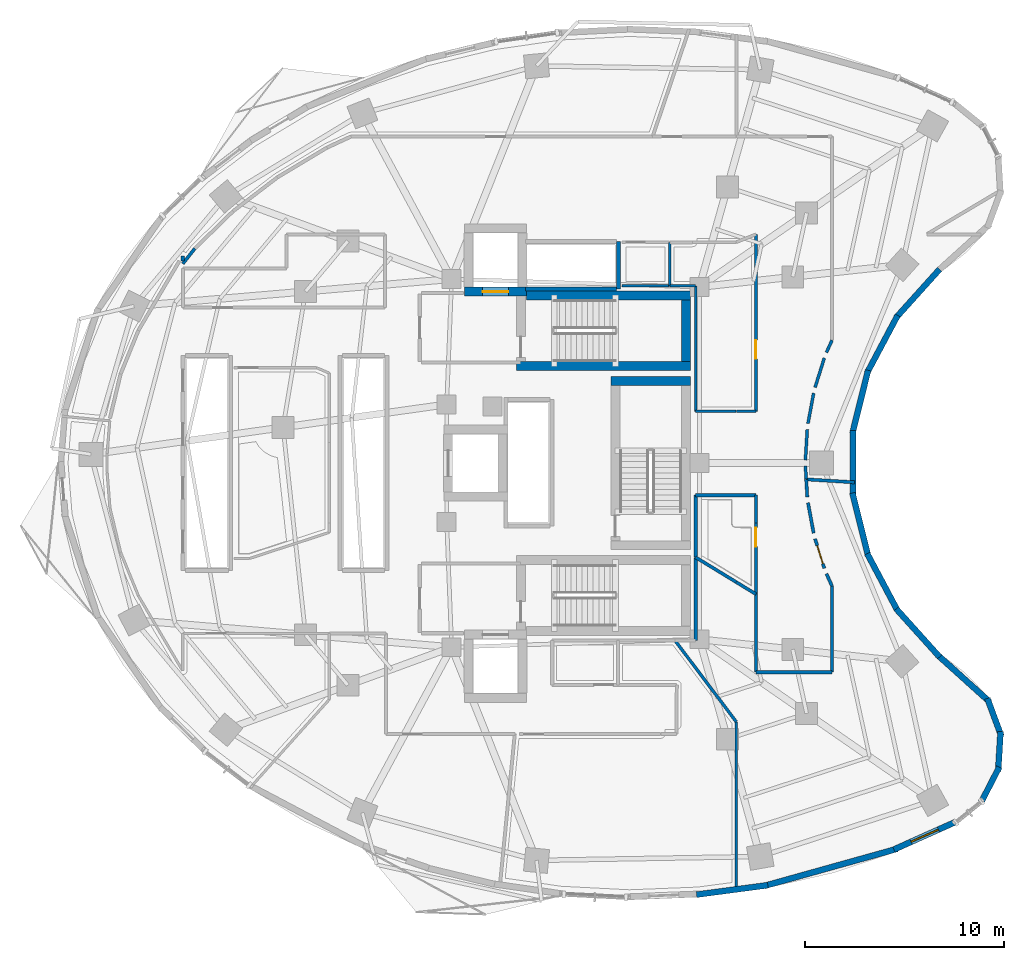
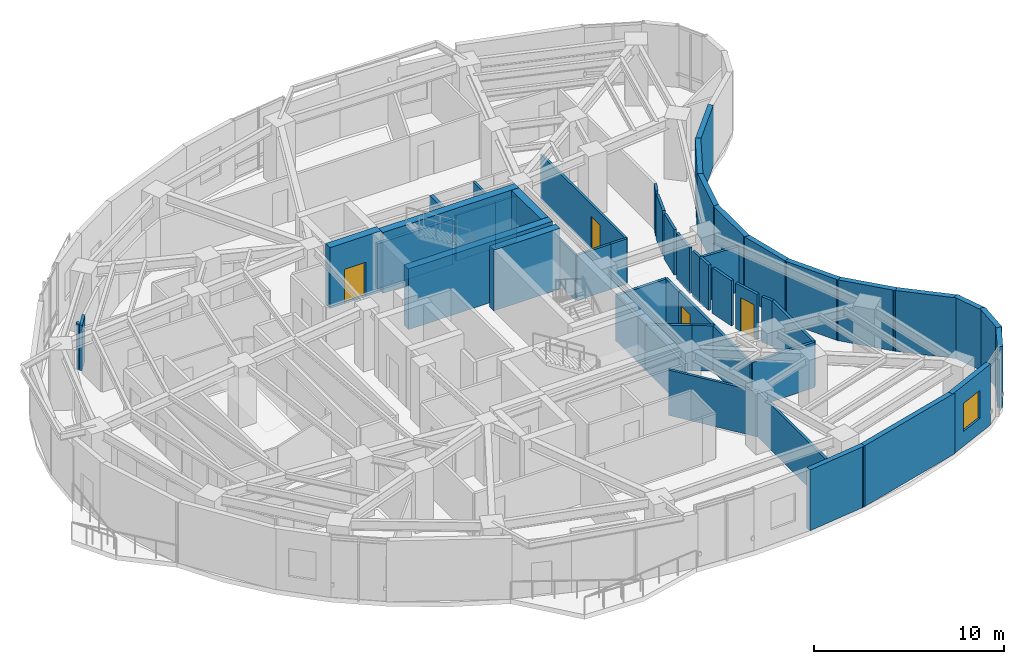
# One storey, part 9 of 14: 52 walls, 4 doors, 1 window, 5 openings.
"""IFC4 building model written with IfcOpenShell, lengths in metres."""

from ifc_helpers import new_model, si_unit, direction, frame, frame_2d, origin, place, context, subcontext, project, spatial, rectangle, extrude, material, layer, layer_set, type_object, element, fill, save


model = new_model("IFC4")

# Units and contexts
model_context = context("Model", 3, precision=1e-05, world=origin(), true_north=direction((0.0, 1.0)))
body_context = subcontext(model_context, "Body", "Model", "MODEL_VIEW")
ifc_project = project(units=[si_unit("LENGTHUNIT", "METRE"), si_unit("AREAUNIT", "SQUARE_METRE"), si_unit("VOLUMEUNIT", "CUBIC_METRE"), si_unit("PLANEANGLEUNIT", "RADIAN"), si_unit("MASSUNIT", "GRAM", prefix="KILO")], contexts=[model_context])

# Site, building, storey
site_placement = place(None, origin())
site = spatial("IfcSite", under=ifc_project, at=site_placement, CompositionType="ELEMENT")
building_placement = place(site_placement, origin())
building = spatial("IfcBuilding", under=site, at=building_placement, Name="Korentha Bioscience Tower", CompositionType="ELEMENT")
storey_placement = place(building_placement, frame((0.0, 0.0, 90.0)))
storey = spatial("IfcBuildingStorey", under=building, at=storey_placement, Name="L20", CompositionType="ELEMENT", Elevation=90.0)

# Walls
ifc_material_1 = material(Name="Double-Stud Acoustic Gypsum", Category="gypsum")
ifc_layer_1 = layer(ifc_material_1, 0.14990234375, Name="Double-Stud Acoustic Gypsum")
ifc_layer_set_1 = layer_set([ifc_layer_1], Name="Double-Stud Acoustic Gypsum (IW-L150)")
wall_type_1 = type_object("IfcWallType", Name="Acoustic Laboratory Partition Wall 150", PredefinedType="PARTITIONING", material=ifc_layer_set_1)
wall_1_placement = place(storey_placement, frame((36.3193359375, 18.090087890625, 0.0), z_axis=(0.0, 0.0, 1.0), x_axis=(0.601792892962, -0.798652185861, 0.0)))
element("IfcWall", 1, at=wall_1_placement, inside=storey, type_object=wall_type_1, Name="L20 Interior Partition 037", PredefinedType="PARTITIONING", context=body_context, shape_type="SweptSolid", body=[
    extrude(rectangle(XDim=5.11572265625, YDim=0.14990234375, at=frame_2d((2.557861328125, 0.0))), origin(), (0.0, 0.0, 1.0), 2.909912109375),
])
wall_2_placement = place(storey_placement, frame((39.39794921875, 14.00439453125, 0.0), z_axis=(0.0, 0.0, 1.0), x_axis=(0.0, -1.0, 0.0)))
element("IfcWall", 2, at=wall_2_placement, inside=storey, type_object=wall_type_1, Name="L20 Interior Partition 038", PredefinedType="PARTITIONING", context=body_context, shape_type="SweptSolid", body=[
    extrude(rectangle(XDim=8.540283203125, YDim=0.14990234375, at=frame_2d((4.27001953125, 0.0))), origin(), (0.0, 0.0, 1.0), 2.909912109375),
])
wall_3_placement = place(storey_placement, frame((42.912841796875, 26.194091796875, 0.0), z_axis=(0.0, 0.0, 1.0), x_axis=(-0.061177910387, 0.998126877346, 0.0)))
element("IfcWall", 3, at=wall_3_placement, inside=storey, type_object=wall_type_1, Name="L20 Interior Partition 056", PredefinedType="PARTITIONING", context=body_context, shape_type="SweptSolid", body=[
    extrude(rectangle(XDim=0.658447265625, YDim=0.14990234375, at=frame_2d((0.3291015625, 0.0))), origin(), (0.0, 0.0, 1.0), 2.909912109375),
])
wall_4_placement = place(storey_placement, frame((42.87255859375, 27.148681640625, 0.0), z_axis=(0.0, 0.0, 1.0), x_axis=(0.061103659378, 0.99813142562, 0.0)))
element("IfcWall", 4, at=wall_4_placement, inside=storey, type_object=wall_type_1, Name="L20 Interior Partition 057", PredefinedType="PARTITIONING", context=body_context, shape_type="SweptSolid", body=[
    extrude(rectangle(XDim=1.55029296875, YDim=0.14990234375, at=frame_2d((0.775146484375, 0.0))), origin(), (0.0, 0.0, 1.0), 2.909912109375),
])
wall_5_placement = place(storey_placement, frame((43.00341796875, 28.99072265625, 0.0), z_axis=(0.0, 0.0, 1.0), x_axis=(0.182168192784, 0.983267384559, 0.0)))
element("IfcWall", 5, at=wall_5_placement, inside=storey, type_object=wall_type_1, Name="L20 Interior Partition 058", PredefinedType="PARTITIONING", context=body_context, shape_type="SweptSolid", body=[
    extrude(rectangle(XDim=1.550537109375, YDim=0.14990234375, at=frame_2d((0.775390625, 0.0))), origin(), (0.0, 0.0, 1.0), 2.909912109375),
])
wall_6_placement = place(storey_placement, frame((43.35791015625, 30.803466796875, 0.0), z_axis=(0.0, 0.0, 1.0), x_axis=(0.300641414783, 0.953737248783, 0.0)))
element("IfcWall", 6, at=wall_6_placement, inside=storey, type_object=wall_type_1, Name="L20 Interior Partition 059", PredefinedType="PARTITIONING", context=body_context, shape_type="SweptSolid", body=[
    extrude(rectangle(XDim=1.55029296875, YDim=0.14990234375, at=frame_2d((0.775146484375, 0.0))), origin(), (0.0, 0.0, 1.0), 2.909912109375),
])
wall_7_placement = place(storey_placement, frame((43.930419921875, 32.55908203125, 0.0), z_axis=(0.0, 0.0, 1.0), x_axis=(0.414377467152, 0.910105111905, 0.0)))
element("IfcWall", 7, at=wall_7_placement, inside=storey, type_object=wall_type_1, Name="L20 Interior Partition 060", PredefinedType="PARTITIONING", context=body_context, shape_type="SweptSolid", body=[
    extrude(rectangle(XDim=0.67236328125, YDim=0.14990234375, at=frame_2d((0.336181640625, 0.0))), origin(), (0.0, 0.0, 1.0), 2.909912109375),
])

# Wall, opening, door
ifc_material_2 = material(Name="Insulated Aluminium Honeycomb Panel", Category="aluminium")
ifc_layer_2 = layer(ifc_material_2, 0.139892578125, Name="Insulated Aluminium Honeycomb Panel")
ifc_layer_set_2 = layer_set([ifc_layer_2], Name="Insulated Aluminium Honeycomb Panel (IW-F60)")
wall_type_2 = type_object("IfcWallType", Name="Cleanroom Flush Metal Panel Partition 140", PredefinedType="PARTITIONING", material=ifc_layer_set_2)
wall_8_placement = place(storey_placement, frame((40.389892578125, 38.498046875, 0.0), z_axis=(0.0, 0.0, 1.0), x_axis=(0.0, -1.0, 0.0)))
wall_8 = element("IfcWall", 8, at=wall_8_placement, inside=storey, type_object=wall_type_2, Name="L20 Vaccine Formulation Cleanroom 07 Entrance Wall", PredefinedType="PARTITIONING", context=body_context, shape_type="SweptSolid", body=[
    extrude(rectangle(XDim=8.89599609375, YDim=0.139892578125, at=frame_2d((4.447998046875, 0.0))), origin(), (0.0, 0.0, 1.0), 2.909912109375),
])
opening_1_placement = place(wall_8_placement, frame((5.3125, 0.0, 0.0)))
opening_1 = element("IfcOpeningElement", 9, at=opening_1_placement, cuts=wall_8, Name="Opening ID-10L", PredefinedType="OPENING", context=body_context, shape_type="SweptSolid", body=[
    extrude(rectangle(XDim=0.949951171875, YDim=2.14990234375, at=frame_2d((0.47509765625, 1.074951171875))), frame((0.0, 0.0849609375, 0.0), z_axis=(0.0, -1.0, 0.0), x_axis=(1.0, 0.0, 0.0)), (0.0, 0.0, 1.0), 0.169677734375),
])
ifc_material_3 = material(Name="Phenolic Laminate Timber Core", Category="wood")
door_type_1 = type_object("IfcDoorType", Name="Laboratory Single Leaf Door 950x2150 Left", OperationType="SINGLE_SWING_LEFT", PredefinedType="DOOR", material=ifc_material_3)
door_1_placement = place(opening_1_placement, origin())
door_1 = element("IfcDoor", 10, at=door_1_placement, inside=storey, type_object=door_type_1, Name="L20 Vaccine Formulation Cleanroom 07 Door", OperationType="SINGLE_SWING_LEFT", OverallHeight=2.14990234375, OverallWidth=0.949951171875, PredefinedType="DOOR", context=body_context, shape_type="SweptSolid", body=[
    extrude(rectangle(XDim=0.949951171875, YDim=2.14990234375, at=frame_2d((0.47509765625, 1.074951171875))), frame((0.0, 0.02490234375, 0.0), z_axis=(0.0, -1.0, 0.0), x_axis=(1.0, 0.0, 0.0)), (0.0, 0.0, 1.0), 0.050048828125),
])
fill(opening_1, door_1)

# Walls
wall_9_placement = place(storey_placement, frame((40.389892578125, 29.60205078125, 0.0), z_axis=(0.0, 0.0, 1.0), x_axis=(-1.0, 0.0, 0.0)))
element("IfcWall", 11, at=wall_9_placement, inside=storey, type_object=wall_type_2, Name="L20 Interior Partition 064", PredefinedType="PARTITIONING", context=body_context, shape_type="SweptSolid", body=[
    extrude(rectangle(XDim=0.98779296875, YDim=0.139892578125, at=frame_2d((0.493896484375, 0.0))), origin(), (0.0, 0.0, 1.0), 2.909912109375),
])
wall_10_placement = place(storey_placement, frame((39.39794921875, 29.60205078125, 0.0), z_axis=(0.0, 0.0, 1.0), x_axis=(-1.0, 0.0, 0.0)))
element("IfcWall", 12, at=wall_10_placement, inside=storey, type_object=wall_type_2, Name="L20 Interior Partition 065", PredefinedType="PARTITIONING", context=body_context, shape_type="SweptSolid", body=[
    extrude(rectangle(XDim=2.037841796875, YDim=0.139892578125, at=frame_2d((1.01904296875, 0.0))), origin(), (0.0, 0.0, 1.0), 2.909912109375),
])
wall_11_placement = place(storey_placement, frame((37.360107421875, 29.60205078125, 0.0), z_axis=(0.0, 0.0, 1.0), x_axis=(0.0, 1.0, 0.0)))
element("IfcWall", 13, at=wall_11_placement, inside=storey, type_object=wall_type_2, Name="L20 Interior Partition 066", PredefinedType="PARTITIONING", context=body_context, shape_type="SweptSolid", body=[
    extrude(rectangle(XDim=6.2978515625, YDim=0.139892578125, at=frame_2d((3.14892578125, 0.0))), origin(), (0.0, 0.0, 1.0), 2.909912109375),
])
wall_12_placement = place(storey_placement, frame((37.35009765625, 35.909912109375, 0.0), z_axis=(0.0, 0.0, 1.0), x_axis=(-1.0, 0.0, 0.0)))
element("IfcWall", 14, at=wall_12_placement, inside=storey, type_object=wall_type_2, Name="L20 Interior Partition 067", PredefinedType="PARTITIONING", context=body_context, shape_type="SweptSolid", body=[
    extrude(rectangle(XDim=1.2900390625, YDim=0.139892578125, at=frame_2d((0.64501953125, 0.0))), origin(), (0.0, 0.0, 1.0), 2.909912109375),
])

# Wall, opening, door
ifc_material_4 = material(Name="Gypsum-Clad Steel Stud", Category="steel")
ifc_layer_3 = layer(ifc_material_4, 0.159912109375, Name="Gypsum-Clad Steel Stud")
ifc_layer_set_3 = layer_set([ifc_layer_3], Name="Gypsum-Clad Steel Stud (IW-C160)")
wall_type_3 = type_object("IfcWallType", Name="Fire-Rated Corridor Partition Wall 160", PredefinedType="PARTITIONING", material=ifc_layer_set_3)
wall_13_placement = place(storey_placement, frame((43.823974609375, 21.718017578125, 0.0), z_axis=(0.0, 0.0, 1.0), x_axis=(-0.300641414783, 0.953737248783, 0.0)))
wall_13 = element("IfcWall", 15, at=wall_13_placement, inside=storey, type_object=wall_type_3, Name="L20 Biospecimen Archive Store 04 Entrance Wall", PredefinedType="PARTITIONING", context=body_context, shape_type="SweptSolid", body=[
    extrude(rectangle(XDim=1.55029296875, YDim=0.159912109375, at=frame_2d((0.775146484375, 0.0))), origin(), (0.0, 0.0, 1.0), 2.909912109375),
])
opening_2_placement = place(wall_13_placement, frame((0.239990234375, 0.0, 0.0)))
opening_2 = element("IfcOpeningElement", 16, at=opening_2_placement, cuts=wall_13, Name="Opening ID-10R", PredefinedType="OPENING", context=body_context, shape_type="SweptSolid", body=[
    extrude(rectangle(XDim=0.949951171875, YDim=2.14990234375, at=frame_2d((0.47509765625, 1.074951171875))), frame((0.0, 0.0947265625, 0.0), z_axis=(0.0, -1.0, 0.0), x_axis=(1.0, 0.0, 0.0)), (0.0, 0.0, 1.0), 0.189697265625),
])
door_type_2 = type_object("IfcDoorType", Name="Laboratory Single Leaf Door 950x2150 Right", OperationType="SINGLE_SWING_RIGHT", PredefinedType="DOOR", material=ifc_material_3)
door_2_placement = place(opening_2_placement, origin())
door_2 = element("IfcDoor", 17, at=door_2_placement, inside=storey, type_object=door_type_2, Name="L20 Biospecimen Archive Store 04 Door", OperationType="SINGLE_SWING_RIGHT", OverallHeight=2.14990234375, OverallWidth=0.949951171875, PredefinedType="DOOR", context=body_context, shape_type="SweptSolid", body=[
    extrude(rectangle(XDim=0.949951171875, YDim=2.14990234375, at=frame_2d((0.47509765625, 1.074951171875))), frame((0.0, 0.02490234375, 0.0), z_axis=(0.0, -1.0, 0.0), x_axis=(1.0, 0.0, 0.0)), (0.0, 0.0, 1.0), 0.050048828125),
])
fill(opening_2, door_2)

wall_14_placement = place(storey_placement, frame((40.389892578125, 23.998046875, 0.0), z_axis=(0.0, 0.0, 1.0), x_axis=(0.0, -1.0, 0.0)))
wall_14 = element("IfcWall", 18, at=wall_14_placement, inside=storey, type_object=wall_type_3, Name="L20 Reference Archive Vault 05 Entrance Wall", PredefinedType="PARTITIONING", context=body_context, shape_type="SweptSolid", body=[
    extrude(rectangle(XDim=3.5703125, YDim=0.159912109375, at=frame_2d((1.78515625, 0.0))), origin(), (0.0, 0.0, 1.0), 2.909912109375),
])
opening_3_placement = place(wall_14_placement, frame((0.239990234375, 0.0, 0.0)))
opening_3 = element("IfcOpeningElement", 19, at=opening_3_placement, cuts=wall_14, Name="Opening ID-10L", PredefinedType="OPENING", context=body_context, shape_type="SweptSolid", body=[
    extrude(rectangle(XDim=0.949951171875, YDim=2.14990234375, at=frame_2d((0.47509765625, 1.074951171875))), frame((0.0, 0.0947265625, 0.0), z_axis=(0.0, -1.0, 0.0), x_axis=(1.0, 0.0, 0.0)), (0.0, 0.0, 1.0), 0.189697265625),
])
door_3_placement = place(opening_3_placement, origin())
door_3 = element("IfcDoor", 20, at=door_3_placement, inside=storey, type_object=door_type_1, Name="L20 Reference Archive Vault 05 Door", OperationType="SINGLE_SWING_LEFT", OverallHeight=2.14990234375, OverallWidth=0.949951171875, PredefinedType="DOOR", context=body_context, shape_type="SweptSolid", body=[
    extrude(rectangle(XDim=0.949951171875, YDim=2.14990234375, at=frame_2d((0.47509765625, 1.074951171875))), frame((0.0, 0.02490234375, 0.0), z_axis=(0.0, -1.0, 0.0), x_axis=(1.0, 0.0, 0.0)), (0.0, 0.0, 1.0), 0.050048828125),
])
fill(opening_3, door_3)

# Walls
wall_15_placement = place(storey_placement, frame((39.402099609375, 21.01904296875, 0.0), z_axis=(0.0, 0.0, 1.0), x_axis=(0.853521615148, -0.52105743683, 0.0)))
element("IfcWall", 21, at=wall_15_placement, inside=storey, type_object=wall_type_3, Name="L20 Interior Partition 039", PredefinedType="PARTITIONING", context=body_context, shape_type="SweptSolid", body=[
    extrude(rectangle(XDim=1.1572265625, YDim=0.159912109375, at=frame_2d((0.57861328125, 0.0))), origin(), (0.0, 0.0, 1.0), 2.909912109375),
])
wall_16_placement = place(storey_placement, frame((40.389892578125, 20.416015625, 0.0), z_axis=(0.0, 0.0, 1.0), x_axis=(0.0, -1.0, 0.0)))
element("IfcWall", 22, at=wall_16_placement, inside=storey, type_object=wall_type_3, Name="L20 Interior Partition 040", PredefinedType="PARTITIONING", context=body_context, shape_type="SweptSolid", body=[
    extrude(rectangle(XDim=3.916015625, YDim=0.159912109375, at=frame_2d((1.9580078125, 0.0))), origin(), (0.0, 0.0, 1.0), 2.909912109375),
])
wall_17_placement = place(storey_placement, frame((40.39990234375, 16.489990234375, 0.0), z_axis=(0.0, 0.0, 1.0), x_axis=(1.0, 0.0, 0.0)))
element("IfcWall", 23, at=wall_17_placement, inside=storey, type_object=wall_type_3, Name="L20 Interior Partition 041", PredefinedType="PARTITIONING", context=body_context, shape_type="SweptSolid", body=[
    extrude(rectangle(XDim=3.800048828125, YDim=0.159912109375, at=frame_2d((1.89990234375, 0.0))), origin(), (0.0, 0.0, 1.0), 2.909912109375),
])
wall_18_placement = place(storey_placement, frame((44.2099609375, 16.5, 0.0), z_axis=(0.0, 0.0, 1.0), x_axis=(0.0, 1.0, 0.0)))
element("IfcWall", 24, at=wall_18_placement, inside=storey, type_object=wall_type_3, Name="L20 Interior Partition 042", PredefinedType="PARTITIONING", context=body_context, shape_type="SweptSolid", body=[
    extrude(rectangle(XDim=4.324951171875, YDim=0.159912109375, at=frame_2d((2.16259765625, 0.0))), origin(), (0.0, 0.0, 1.0), 2.909912109375),
])
wall_19_placement = place(storey_placement, frame((44.208984375, 20.8291015625, 0.0), z_axis=(0.0, 0.0, 1.0), x_axis=(-0.414377467152, 0.910105111905, 0.0)))
element("IfcWall", 25, at=wall_19_placement, inside=storey, type_object=wall_type_3, Name="L20 Interior Partition 043", PredefinedType="PARTITIONING", context=body_context, shape_type="SweptSolid", body=[
    extrude(rectangle(XDim=0.67236328125, YDim=0.159912109375, at=frame_2d((0.336181640625, 0.0))), origin(), (0.0, 0.0, 1.0), 2.909912109375),
])
wall_20_placement = place(storey_placement, frame((43.285888671875, 23.484619140625, 0.0), z_axis=(0.0, 0.0, 1.0), x_axis=(-0.182168192784, 0.983267384559, 0.0)))
element("IfcWall", 26, at=wall_20_placement, inside=storey, type_object=wall_type_3, Name="L20 Interior Partition 044", PredefinedType="PARTITIONING", context=body_context, shape_type="SweptSolid", body=[
    extrude(rectangle(XDim=1.550537109375, YDim=0.159912109375, at=frame_2d((0.775390625, 0.0))), origin(), (0.0, 0.0, 1.0), 2.909912109375),
])
wall_21_placement = place(storey_placement, frame((42.96728515625, 25.303955078125, 0.0), z_axis=(0.0, 0.0, 1.0), x_axis=(-0.061188874166, 0.998126205286, 0.0)))
element("IfcWall", 27, at=wall_21_placement, inside=storey, type_object=wall_type_3, Name="L20 Interior Partition 045", PredefinedType="PARTITIONING", context=body_context, shape_type="SweptSolid", body=[
    extrude(rectangle(XDim=0.8818359375, YDim=0.159912109375, at=frame_2d((0.44091796875, 0.0))), origin(), (0.0, 0.0, 1.0), 2.909912109375),
])
wall_22_placement = place(storey_placement, frame((42.913330078125, 26.18408203125, 0.0), z_axis=(0.0, 0.0, 1.0), x_axis=(0.998138916893, -0.060981165807, 0.0)))
element("IfcWall", 28, at=wall_22_placement, inside=storey, type_object=wall_type_3, Name="L20 Interior Partition 046", PredefinedType="PARTITIONING", context=body_context, shape_type="SweptSolid", body=[
    extrude(rectangle(XDim=2.426025390625, YDim=0.159912109375, at=frame_2d((1.212890625, 0.0))), origin(), (0.0, 0.0, 1.0), 2.909912109375),
])
wall_23_placement = place(storey_placement, frame((37.360107421875, 18.10009765625, 0.0), z_axis=(0.0, 0.0, 1.0), x_axis=(0.0, 1.0, 0.0)))
element("IfcWall", 29, at=wall_23_placement, inside=storey, type_object=wall_type_3, Name="L20 Interior Partition 048", PredefinedType="PARTITIONING", context=body_context, shape_type="SweptSolid", body=[
    extrude(rectangle(XDim=4.16552734375, YDim=0.159912109375, at=frame_2d((2.082763671875, 0.0))), origin(), (0.0, 0.0, 1.0), 2.909912109375),
])
wall_24_placement = place(storey_placement, frame((37.360107421875, 22.265625, 0.0), z_axis=(0.0, 0.0, 1.0), x_axis=(0.85352442543, -0.521052833401, 0.0)))
element("IfcWall", 30, at=wall_24_placement, inside=storey, type_object=wall_type_3, Name="L20 Interior Partition 049", PredefinedType="PARTITIONING", context=body_context, shape_type="SweptSolid", body=[
    extrude(rectangle(XDim=2.38720703125, YDim=0.159912109375, at=frame_2d((1.193603515625, 0.0))), origin(), (0.0, 0.0, 1.0), 2.909912109375),
])
wall_25_placement = place(storey_placement, frame((37.360107421875, 22.275634765625, 0.0), z_axis=(0.0, 0.0, 1.0), x_axis=(0.0, 1.0, 0.0)))
element("IfcWall", 31, at=wall_25_placement, inside=storey, type_object=wall_type_3, Name="L20 Interior Partition 051", PredefinedType="PARTITIONING", context=body_context, shape_type="SweptSolid", body=[
    extrude(rectangle(XDim=3.1142578125, YDim=0.159912109375, at=frame_2d((1.55712890625, 0.0))), origin(), (0.0, 0.0, 1.0), 2.909912109375),
])
wall_26_placement = place(storey_placement, frame((37.360107421875, 25.389892578125, 0.0), z_axis=(0.0, 0.0, 1.0), x_axis=(1.0, 0.0, 0.0)))
element("IfcWall", 32, at=wall_26_placement, inside=storey, type_object=wall_type_3, Name="L20 Interior Partition 052", PredefinedType="PARTITIONING", context=body_context, shape_type="SweptSolid", body=[
    extrude(rectangle(XDim=3.02587890625, YDim=0.159912109375, at=frame_2d((1.512939453125, 0.0))), origin(), (0.0, 0.0, 1.0), 2.909912109375),
])
wall_27_placement = place(storey_placement, frame((40.385986328125, 25.389892578125, 0.0), z_axis=(0.0, 0.0, 1.0), x_axis=(0.0, -1.0, 0.0)))
element("IfcWall", 33, at=wall_27_placement, inside=storey, type_object=wall_type_3, Name="L20 Interior Partition 053", PredefinedType="PARTITIONING", context=body_context, shape_type="SweptSolid", body=[
    extrude(rectangle(XDim=1.3876953125, YDim=0.159912109375, at=frame_2d((0.69384765625, 0.0))), origin(), (0.0, 0.0, 1.0), 2.909912109375),
])
wall_28_placement = place(storey_placement, frame((12.195068359375, 37.781982421875, 0.0), z_axis=(0.0, 0.0, 1.0), x_axis=(-0.621081637991, -0.783745876513, 0.0)))
element("IfcWall", 34, at=wall_28_placement, inside=storey, type_object=wall_type_3, Name="L20 Interior Partition 076", PredefinedType="PARTITIONING", context=body_context, shape_type="SweptSolid", body=[
    extrude(rectangle(XDim=0.97412109375, YDim=0.159912109375, at=frame_2d((0.487060546875, 0.0))), origin(), (0.0, 0.0, 1.0), 2.909912109375),
])
wall_29_placement = place(storey_placement, frame((11.590087890625, 37.152099609375, 0.0), z_axis=(0.0, 0.0, 1.0), x_axis=(0.0, 1.0, 0.0)))
element("IfcWall", 35, at=wall_29_placement, inside=storey, type_object=wall_type_3, Name="L20 Interior Partition 077", PredefinedType="PARTITIONING", context=body_context, shape_type="SweptSolid", body=[
    extrude(rectangle(XDim=0.255859375, YDim=0.159912109375, at=frame_2d((0.1279296875, 0.0))), origin(), (0.0, 0.0, 1.0), 2.909912109375),
])

# Wall, opening, window
ifc_material_5 = material(Name="Honed Limestone Precast Concrete C40", Category="masonry")
ifc_layer_4 = layer(ifc_material_5, 0.300048828125, Name="Honed Limestone Precast Concrete C40")
ifc_layer_set_4 = layer_set([ifc_layer_4], Name="Honed Limestone Precast Concrete C40 (EW-ST300)")
wall_type_4 = type_object("IfcWallType", Name="Honed Limestone Cavity Spandrel Wall 300", PredefinedType="STANDARD", material=ifc_layer_set_4)
wall_30_placement = place(storey_placement, frame((47.3193359375, 7.5849609375, 0.0), z_axis=(0.0, 0.0, 1.0), x_axis=(0.912680179498, 0.40867455261, 0.0)))
wall_30 = element("IfcWall", 36, at=wall_30_placement, inside=storey, type_object=wall_type_4, Name="L20 Honed Limestone Spandrel Wall 36", PredefinedType="STANDARD", context=body_context, shape_type="SweptSolid", body=[
    extrude(rectangle(XDim=3.40087890625, YDim=0.300048828125, at=frame_2d((1.700439453125, 0.0))), origin(), (0.0, 0.0, 1.0), 3.89990234375),
])
opening_4_placement = place(wall_30_placement, frame((0.950439453125, 0.0, 0.949951171875)))
opening_4 = element("IfcOpeningElement", 37, at=opening_4_placement, cuts=wall_30, Name="Opening WN-02", PredefinedType="OPENING", context=body_context, shape_type="SweptSolid", body=[
    extrude(rectangle(XDim=1.5, YDim=1.800048828125, at=frame_2d((0.75, 0.89990234375))), frame((0.0, 0.1650390625, 0.0), z_axis=(0.0, -1.0, 0.0), x_axis=(1.0, 0.0, 0.0)), (0.0, 0.0, 1.0), 0.329833984375),
])
ifc_material_6 = material(Name="Thermally Broken Aluminium Triple Glazing", Category="aluminium")
window_type = type_object("IfcWindowType", Name="Acoustic Operable Office Window 1500x1800", PartitioningType="DOUBLE_PANEL_VERTICAL", PredefinedType="WINDOW", material=ifc_material_6)
window_placement = place(opening_4_placement, origin())
window = element("IfcWindow", 38, at=window_placement, inside=storey, type_object=window_type, Name="L20 Facade Window 36", OverallHeight=1.800048828125, OverallWidth=1.5, PartitioningType="DOUBLE_PANEL_VERTICAL", PredefinedType="WINDOW", context=body_context, shape_type="SweptSolid", body=[
    extrude(rectangle(XDim=1.5, YDim=1.800048828125, at=frame_2d((0.75, 0.89990234375))), frame((0.0, 0.030029296875, 0.0), z_axis=(0.0, -1.0, 0.0), x_axis=(1.0, 0.0, 0.0)), (0.0, 0.0, 1.0), 0.06005859375),
])
fill(opening_4, window)

# Walls
wall_31_placement = place(storey_placement, frame((37.40234375, 5.319091796875, 0.0), z_axis=(0.0, 0.0, 1.0), x_axis=(0.991372969521, 0.131071107816, 0.0)))
element("IfcWall", 39, at=wall_31_placement, inside=storey, type_object=wall_type_4, Name="L20 Limestone Perimeter Closure Wall 33", PredefinedType="STANDARD", context=body_context, shape_type="SweptSolid", body=[
    extrude(rectangle(XDim=3.615478515625, YDim=0.300048828125, at=frame_2d((1.8076171875, 0.0))), origin(), (0.0, 0.0, 1.0), 3.89990234375),
])
wall_32_placement = place(storey_placement, frame((40.810791015625, 5.7568359375, 0.0), z_axis=(0.0, 0.0, 1.0), x_axis=(0.963116215402, 0.269085777459, 0.0)))
element("IfcWall", 40, at=wall_32_placement, inside=storey, type_object=wall_type_4, Name="L20 Limestone Perimeter Closure Wall 34", PredefinedType="STANDARD", context=body_context, shape_type="SweptSolid", body=[
    extrude(rectangle(XDim=6.923583984375, YDim=0.300048828125, at=frame_2d((3.4619140625, 0.0))), origin(), (0.0, 0.0, 1.0), 3.89990234375),
])
for number, where, z_axis, x_axis, name in (
    (41, (51.701171875, 9.953125, 0.0), (0.0, 0.0, 1.0), (0.457596540329, 0.889159944149, 0.0), "L20 Limestone Perimeter Closure Wall 38"),
    (42, (52.55859375, 11.522705078125, 0.0), (0.0, 0.0, 1.0), (0.060255200356, 0.998183004679, 0.0), "L20 Limestone Perimeter Closure Wall 39"),
):
    element("IfcWall", number, at=place(storey_placement, frame(where, z_axis=z_axis, x_axis=x_axis)), inside=storey, type_object=wall_type_4, Name=name, PredefinedType="STANDARD", context=body_context, shape_type="SweptSolid", body=[
        extrude(rectangle(XDim=1.99755859375, YDim=0.300048828125, at=frame_2d((0.998779296875, 0.0))), origin(), (0.0, 0.0, 1.0), 3.89990234375),
    ])
wall_33_placement = place(storey_placement, frame((52.710205078125, 13.3046875, 0.0), z_axis=(0.0, 0.0, 1.0), x_axis=(-0.347370087337, 0.937728117539, 0.0)))
element("IfcWall", 43, at=wall_33_placement, inside=storey, type_object=wall_type_4, Name="L20 Limestone Perimeter Closure Wall 40", PredefinedType="STANDARD", context=body_context, shape_type="SweptSolid", body=[
    extrude(rectangle(XDim=1.997314453125, YDim=0.300048828125, at=frame_2d((0.99853515625, 0.0))), origin(), (0.0, 0.0, 1.0), 3.89990234375),
])
wall_34_placement = place(storey_placement, frame((52.14111328125, 14.993896484375, 0.0), z_axis=(0.0, 0.0, 1.0), x_axis=(-0.74255963233, 0.669779958221, 0.0)))
element("IfcWall", 44, at=wall_34_placement, inside=storey, type_object=wall_type_4, Name="L20 Limestone Perimeter Closure Wall 41", PredefinedType="STANDARD", context=body_context, shape_type="SweptSolid", body=[
    extrude(rectangle(XDim=3.5390625, YDim=0.300048828125, at=frame_2d((1.76953125, 0.0))), origin(), (0.0, 0.0, 1.0), 3.89990234375),
])
wall_35_placement = place(storey_placement, frame((49.61572265625, 17.26171875, 0.0), z_axis=(0.0, 0.0, 1.0), x_axis=(-0.669167727967, 0.743111399353, 0.0)))
element("IfcWall", 45, at=wall_35_placement, inside=storey, type_object=wall_type_4, Name="L20 Limestone Perimeter Closure Wall 43", PredefinedType="STANDARD", context=body_context, shape_type="SweptSolid", body=[
    extrude(rectangle(XDim=3.25537109375, YDim=0.300048828125, at=frame_2d((1.627685546875, 0.0))), origin(), (0.0, 0.0, 1.0), 3.89990234375),
])
wall_36_placement = place(storey_placement, frame((47.5087890625, 19.578857421875, 0.0), z_axis=(0.0, 0.0, 1.0), x_axis=(-0.469451284634, 0.882958374645, 0.0)))
element("IfcWall", 46, at=wall_36_placement, inside=storey, type_object=wall_type_4, Name="L20 Limestone Perimeter Closure Wall 45", PredefinedType="STANDARD", context=body_context, shape_type="SweptSolid", body=[
    extrude(rectangle(XDim=3.255615234375, YDim=0.300048828125, at=frame_2d((1.6279296875, 0.0))), origin(), (0.0, 0.0, 1.0), 3.89990234375),
])
wall_37_placement = place(storey_placement, frame((46.025146484375, 22.3369140625, 0.0), z_axis=(0.0, 0.0, 1.0), x_axis=(-0.241900409149, 0.970301083197, 0.0)))
element("IfcWall", 47, at=wall_37_placement, inside=storey, type_object=wall_type_4, Name="L20 Limestone Perimeter Closure Wall 47", PredefinedType="STANDARD", context=body_context, shape_type="SweptSolid", body=[
    extrude(rectangle(XDim=3.255859375, YDim=0.300048828125, at=frame_2d((1.6279296875, 0.0))), origin(), (0.0, 0.0, 1.0), 3.89990234375),
])
wall_38_placement = place(storey_placement, frame((45.252685546875, 25.372314453125, 0.0), z_axis=(0.0, 0.0, 1.0), x_axis=(0.0, 1.0, 0.0)))
element("IfcWall", 48, at=wall_38_placement, inside=storey, type_object=wall_type_4, Name="L20 Limestone Perimeter Closure Wall 49", PredefinedType="STANDARD", context=body_context, shape_type="SweptSolid", body=[
    extrude(rectangle(XDim=3.25537109375, YDim=0.300048828125, at=frame_2d((1.627685546875, 0.0))), origin(), (0.0, 0.0, 1.0), 3.89990234375),
])
wall_39_placement = place(storey_placement, frame((45.237548828125, 28.50390625, 0.0), z_axis=(0.0, 0.0, 1.0), x_axis=(0.241900409149, 0.970301083197, 0.0)))
element("IfcWall", 49, at=wall_39_placement, inside=storey, type_object=wall_type_4, Name="L20 Limestone Perimeter Closure Wall 51", PredefinedType="STANDARD", context=body_context, shape_type="SweptSolid", body=[
    extrude(rectangle(XDim=3.255859375, YDim=0.300048828125, at=frame_2d((1.6279296875, 0.0))), origin(), (0.0, 0.0, 1.0), 3.89990234375),
])
wall_40_placement = place(storey_placement, frame((45.98046875, 31.546630859375, 0.0), z_axis=(0.0, 0.0, 1.0), x_axis=(0.469451284634, 0.882958374645, 0.0)))
element("IfcWall", 50, at=wall_40_placement, inside=storey, type_object=wall_type_4, Name="L20 Limestone Perimeter Closure Wall 53", PredefinedType="STANDARD", context=body_context, shape_type="SweptSolid", body=[
    extrude(rectangle(XDim=3.255615234375, YDim=0.300048828125, at=frame_2d((1.6279296875, 0.0))), origin(), (0.0, 0.0, 1.0), 3.89990234375),
])
wall_41_placement = place(storey_placement, frame((47.437255859375, 34.319091796875, 0.0), z_axis=(0.0, 0.0, 1.0), x_axis=(0.669167727967, 0.743111399353, 0.0)))
element("IfcWall", 51, at=wall_41_placement, inside=storey, type_object=wall_type_4, Name="L20 Limestone Perimeter Closure Wall 55", PredefinedType="STANDARD", context=body_context, shape_type="SweptSolid", body=[
    extrude(rectangle(XDim=3.25537109375, YDim=0.300048828125, at=frame_2d((1.627685546875, 0.0))), origin(), (0.0, 0.0, 1.0), 3.89990234375),
])
ifc_material_7 = material(Name="Autoclaved Aerated Concrete Block C25", Category="concrete")
ifc_layer_5 = layer(ifc_material_7, 0.199951171875, Name="Autoclaved Aerated Concrete Block C25")
ifc_layer_set_5 = layer_set([ifc_layer_5], Name="Autoclaved Aerated Concrete Block C25 (IW-S200)")
wall_type_5 = type_object("IfcWallType", Name="Lift and Riser Shaft Enclosure Wall 200", PredefinedType="PARTITIONING", material=ifc_layer_set_5)
wall_42_placement = place(storey_placement, frame((33.489990234375, 35.760009765625, 0.0), z_axis=(0.0, 0.0, 1.0), x_axis=(0.0, 1.0, 0.0)))
element("IfcWall", 52, at=wall_42_placement, inside=storey, type_object=wall_type_5, Name="L20 Lift Bank OBS Shaft Wall +X", PredefinedType="PARTITIONING", context=body_context, shape_type="SweptSolid", body=[
    extrude(rectangle(XDim=2.3798828125, YDim=0.199951171875, at=frame_2d((1.18994140625, 0.0))), origin(), (0.0, 0.0, 1.0), 2.909912109375),
])
wall_43_placement = place(storey_placement, frame((28.800048828125, 35.760009765625, 0.0), z_axis=(0.0, 0.0, 1.0), x_axis=(1.0, 0.0, 0.0)))
element("IfcWall", 53, at=wall_43_placement, inside=storey, type_object=wall_type_5, Name="L20 Lift Bank OBS Shaft Wall -Y", PredefinedType="PARTITIONING", context=body_context, shape_type="SweptSolid", body=[
    extrude(rectangle(XDim=4.570068359375, YDim=0.199951171875, at=frame_2d((2.28515625, 0.0))), origin(), (0.0, 0.0, 1.0), 2.909912109375),
])
ifc_material_8 = material(Name="Concrete C80", Category="concrete")
ifc_layer_6 = layer(ifc_material_8, 0.449951171875, Name="Concrete C80")
ifc_layer_set_6 = layer_set([ifc_layer_6], Name="Concrete C80 (CW-C80)")
wall_type_6 = type_object("IfcWallType", Name="Lower Core Shear Wall 450", PredefinedType="SHEAR", material=ifc_layer_set_6)
wall_44_placement = place(storey_placement, frame((28.85205078125, 35.425048828125, 0.0), z_axis=(0.0, 0.0, 1.0), x_axis=(1.0, 0.0, 0.0)))
element("IfcWall", 54, at=wall_44_placement, inside=storey, type_object=wall_type_6, Name="L20 Core Shear Wall ST1-N", PredefinedType="SHEAR", context=body_context, shape_type="SweptSolid", body=[
    extrude(rectangle(XDim=8.248046875, YDim=0.449951171875, at=frame_2d((4.1240234375, 0.0))), origin(), (0.0, 0.0, 1.0), 3.89990234375),
])
wall_45_placement = place(storey_placement, frame((28.35009765625, 31.875, 0.0), z_axis=(0.0, 0.0, 1.0), x_axis=(1.0, 0.0, 0.0)))
element("IfcWall", 55, at=wall_45_placement, inside=storey, type_object=wall_type_6, Name="L20 Core Shear Wall ST1-S", PredefinedType="SHEAR", context=body_context, shape_type="SweptSolid", body=[
    extrude(rectangle(XDim=8.75, YDim=0.449951171875, at=frame_2d((4.375, 0.0))), origin(), (0.0, 0.0, 1.0), 3.89990234375),
])
wall_46_placement = place(storey_placement, frame((36.875, 32.110107421875, 0.0), z_axis=(0.0, 0.0, 1.0), x_axis=(0.0, 1.0, 0.0)))
element("IfcWall", 56, at=wall_46_placement, inside=storey, type_object=wall_type_6, Name="L20 Core Shear Wall ST1-E", PredefinedType="SHEAR", context=body_context, shape_type="SweptSolid", body=[
    extrude(rectangle(XDim=3.079833984375, YDim=0.449951171875, at=frame_2d((1.5400390625, 0.0))), origin(), (0.0, 0.0, 1.0), 3.89990234375),
])
wall_47_placement = place(storey_placement, frame((33.10009765625, 31.125, 0.0), z_axis=(0.0, 0.0, 1.0), x_axis=(1.0, 0.0, 0.0)))
element("IfcWall", 57, at=wall_47_placement, inside=storey, type_object=wall_type_6, Name="L20 Core Shear Wall ST3-N", PredefinedType="SHEAR", context=body_context, shape_type="SweptSolid", body=[
    extrude(rectangle(XDim=4.0, YDim=0.449951171875, at=frame_2d((2.0, 0.0))), origin(), (0.0, 0.0, 1.0), 3.89990234375),
])

# Wall, opening, door
wall_48_placement = place(storey_placement, frame((25.75, 35.6201171875, 0.0), z_axis=(0.0, 0.0, 1.0), x_axis=(1.0, 0.0, 0.0)))
wall_48 = element("IfcWall", 58, at=wall_48_placement, inside=storey, type_object=wall_type_6, Name="L20 Core Shear Wall FFL2-S", PredefinedType="SHEAR", context=body_context, shape_type="SweptSolid", body=[
    extrude(rectangle(XDim=3.10009765625, YDim=0.449951171875, at=frame_2d((1.550048828125, 0.0))), origin(), (0.0, 0.0, 1.0), 3.89990234375),
])
opening_5_placement = place(wall_48_placement, frame((0.89990234375, 0.0, 0.0)))
opening_5 = element("IfcOpeningElement", 59, at=opening_5_placement, cuts=wall_48, Name="Opening LD-13", PredefinedType="OPENING", context=body_context, shape_type="SweptSolid", body=[
    extrude(rectangle(XDim=1.300048828125, YDim=2.199951171875, at=frame_2d((0.64990234375, 1.10009765625))), frame((0.0, 0.23974609375, 0.0), z_axis=(0.0, -1.0, 0.0), x_axis=(1.0, 0.0, 0.0)), (0.0, 0.0, 1.0), 0.479736328125),
])
ifc_material_9 = material(Name="Brushed Stainless Steel 316", Category="steel")
door_type_3 = type_object("IfcDoorType", Name="Service & Firefighting Lift Landing Door 1300x2300", OperationType="DOUBLE_DOOR_SLIDING", PredefinedType="DOOR", material=ifc_material_9)
door_4_placement = place(opening_5_placement, origin())
door_4 = element("IfcDoor", 60, at=door_4_placement, inside=storey, type_object=door_type_3, Name="L20 FFL-2 Sliding Lift Landing Door", OperationType="DOUBLE_DOOR_SLIDING", OverallHeight=2.199951171875, OverallWidth=1.300048828125, PredefinedType="DOOR", context=body_context, shape_type="SweptSolid", body=[
    extrude(rectangle(XDim=1.300048828125, YDim=2.199951171875, at=frame_2d((0.64990234375, 1.10009765625))), frame((0.0, 0.02490234375, 0.0), z_axis=(0.0, -1.0, 0.0), x_axis=(1.0, 0.0, 0.0)), (0.0, 0.0, 1.0), 0.050048828125),
])
fill(opening_5, door_4)

# Walls
ifc_material_10 = material(Name="Cement-Board Steel Stud", Category="steel")
ifc_layer_7 = layer(ifc_material_10, 0.1298828125, Name="Cement-Board Steel Stud")
ifc_layer_set_7 = layer_set([ifc_layer_7], Name="Cement-Board Steel Stud (IW-W130)")
wall_type_7 = type_object("IfcWallType", Name="Wet-Area Moisture-Resistant Partition 130", PredefinedType="PARTITIONING", material=ifc_layer_set_7)
wall_49_placement = place(storey_placement, frame((36.050048828125, 35.909912109375, 0.0), z_axis=(0.0, 0.0, 1.0), x_axis=(-1.0, 0.0, 0.0)))
element("IfcWall", 61, at=wall_49_placement, inside=storey, type_object=wall_type_7, Name="L20 Interior Partition 017", PredefinedType="PARTITIONING", context=body_context, shape_type="SweptSolid", body=[
    extrude(rectangle(XDim=2.400146484375, YDim=0.1298828125, at=frame_2d((1.2001953125, 0.0))), origin(), (0.0, 0.0, 1.0), 2.909912109375),
])
wall_50_placement = place(storey_placement, frame((36.050048828125, 38.090087890625, 0.0), z_axis=(0.0, 0.0, 1.0), x_axis=(0.0, -1.0, 0.0)))
element("IfcWall", 62, at=wall_50_placement, inside=storey, type_object=wall_type_7, Name="L20 Interior Partition 018", PredefinedType="PARTITIONING", context=body_context, shape_type="SweptSolid", body=[
    extrude(rectangle(XDim=2.18017578125, YDim=0.1298828125, at=frame_2d((1.090087890625, 0.0))), origin(), (0.0, 0.0, 1.0), 2.909912109375),
])

save(model, "model.ifc")
